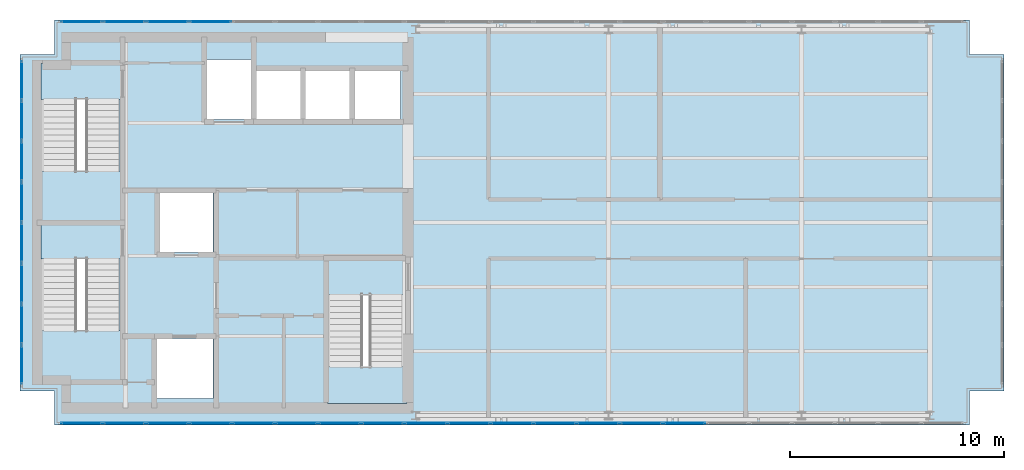
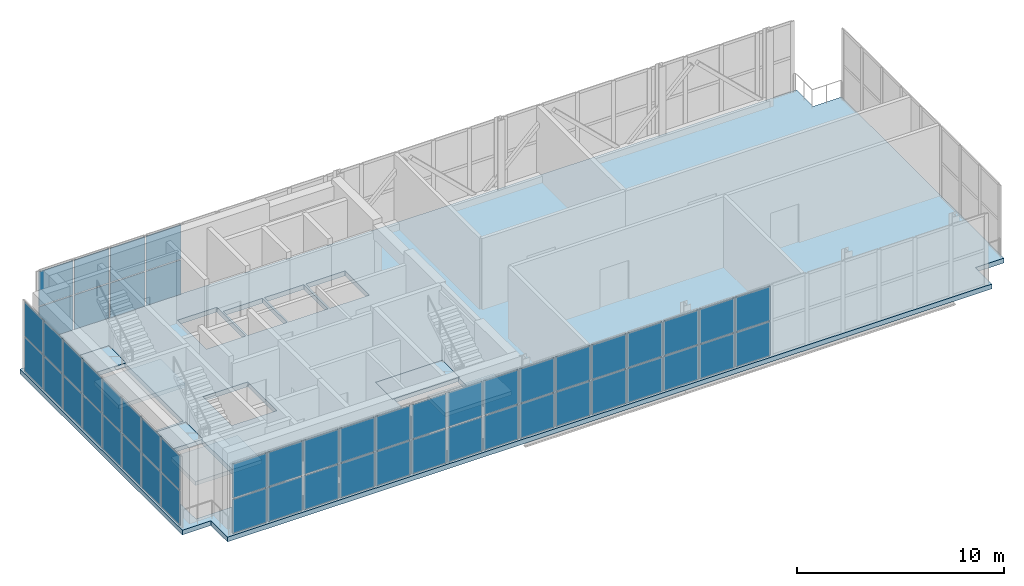
# One storey, part 16 of 21: 54 plates, 7 slabs, 6 elements without a shape of their own.
"""IFC4 building model written with IfcOpenShell, lengths in metres."""

from ifc_helpers import new_model, si_unit, direction, frame, origin, origin_2d, place, context, subcontext, project, spatial, polyline, rectangle, outline, extrude, material, layer, layer_set, type_object, element, aggregate, save


model = new_model("IFC4")

# Units and contexts
model_context = context("Model", 3, precision=1e-05, world=origin(), true_north=direction((0.0, 1.0)))
body_context = subcontext(model_context, "Body", "Model", "MODEL_VIEW")
ifc_project = project(units=[si_unit("LENGTHUNIT", "METRE"), si_unit("AREAUNIT", "SQUARE_METRE"), si_unit("VOLUMEUNIT", "CUBIC_METRE"), si_unit("PLANEANGLEUNIT", "RADIAN"), si_unit("MASSUNIT", "GRAM", prefix="KILO")], contexts=[model_context])

# Site, building, storey
site_placement = place(None, origin())
site = spatial("IfcSite", under=ifc_project, at=site_placement, CompositionType="ELEMENT")
building_placement = place(site_placement, origin())
building = spatial("IfcBuilding", under=site, at=building_placement, Name="Mawjdan Bourse Tower", CompositionType="ELEMENT")
storey_placement = place(building_placement, frame((0.0, 0.0, 313.199951171875)))
storey = spatial("IfcBuildingStorey", under=building, at=storey_placement, Name="L77", CompositionType="ELEMENT", Elevation=313.199951171875)

# Curtain wall, plates
ifc_material_1 = material(Name="Thermally Broken Aluminium and Solar Glass", Category="aluminium")
ifc_layer_1 = layer(ifc_material_1, 0.219970703125)
ifc_layer_set_1 = layer_set([ifc_layer_1], Name="Thermally Broken Aluminium and Solar Glass")
curtain_wall_type = type_object("IfcCurtainWallType", Name="CW-CRN", PredefinedType="USERDEFINED", material=ifc_layer_set_1)
curtain_wall_1_placement = place(storey_placement, origin())
curtain_wall_1 = element("IfcCurtainWall", 1, at=curtain_wall_1_placement, inside=storey, type_object=curtain_wall_type, Name="L77 Lantern Crown South Curtain Wall", ObjectType="LANTERN GLAZED CROWN", PredefinedType="USERDEFINED")
ifc_material_2 = material(Name="Night-Lit Fritted Lantern Glass", Category="glass")
ifc_layer_2 = layer(ifc_material_2, 0.0439453125)
ifc_layer_set_2 = layer_set([ifc_layer_2], Name="Night-Lit Fritted Lantern Glass")
plate_type = type_object("IfcPlateType", Name="PNL-CW-CRN", PredefinedType="CURTAIN_PANEL", material=ifc_layer_set_2)
plate_1_placement = place(storey_placement, frame((8.423583984375, 2.6298828125, 0.06005859375), z_axis=(0.0, 0.0, 1.0), x_axis=(1.0, 0.0, 0.0)))
plate_1 = element("IfcPlate", 2, at=plate_1_placement, type_object=plate_type, Name="CW-CRN-L77-CRN-S panel 1.1", PredefinedType="CURTAIN_PANEL", context=body_context, shape_type="SweptSolid", body=[
    extrude(rectangle(XDim=1.89697265625, YDim=0.0439453125, at=origin_2d()), origin(), (0.0, 0.0, 1.0), 2.02001953125),
])
plate_2_placement = place(storey_placement, frame((8.423583984375, 2.6298828125, 2.14013671875), z_axis=(0.0, 0.0, 1.0), x_axis=(1.0, 0.0, 0.0)))
plate_2 = element("IfcPlate", 3, at=plate_2_placement, type_object=plate_type, Name="CW-CRN-L77-CRN-S panel 1.2", PredefinedType="CURTAIN_PANEL", context=body_context, shape_type="SweptSolid", body=[
    extrude(rectangle(XDim=1.89697265625, YDim=0.0439453125, at=origin_2d()), origin(), (0.0, 0.0, 1.0), 2.02001953125),
])
plate_3_placement = place(storey_placement, frame((10.414306640625, 2.6298828125, 0.06005859375), z_axis=(0.0, 0.0, 1.0), x_axis=(1.0, 0.0, 0.0)))
plate_3 = element("IfcPlate", 4, at=plate_3_placement, type_object=plate_type, Name="CW-CRN-L77-CRN-S panel 2.1", PredefinedType="CURTAIN_PANEL", context=body_context, shape_type="SweptSolid", body=[
    extrude(rectangle(XDim=1.9345703125, YDim=0.0439453125, at=origin_2d()), origin(), (0.0, 0.0, 1.0), 2.02001953125),
])
plate_4_placement = place(storey_placement, frame((10.414306640625, 2.6298828125, 2.14013671875), z_axis=(0.0, 0.0, 1.0), x_axis=(1.0, 0.0, 0.0)))
plate_4 = element("IfcPlate", 5, at=plate_4_placement, type_object=plate_type, Name="CW-CRN-L77-CRN-S panel 2.2", PredefinedType="CURTAIN_PANEL", context=body_context, shape_type="SweptSolid", body=[
    extrude(rectangle(XDim=1.9345703125, YDim=0.0439453125, at=origin_2d()), origin(), (0.0, 0.0, 1.0), 2.02001953125),
])
plate_5_placement = place(storey_placement, frame((12.423828125, 2.6298828125, 0.06005859375), z_axis=(0.0, 0.0, 1.0), x_axis=(1.0, 0.0, 0.0)))
plate_5 = element("IfcPlate", 6, at=plate_5_placement, type_object=plate_type, Name="CW-CRN-L77-CRN-S panel 3.1", PredefinedType="CURTAIN_PANEL", context=body_context, shape_type="SweptSolid", body=[
    extrude(rectangle(XDim=1.9345703125, YDim=0.0439453125, at=origin_2d()), origin(), (0.0, 0.0, 1.0), 2.02001953125),
])
plate_6_placement = place(storey_placement, frame((12.423828125, 2.6298828125, 2.14013671875), z_axis=(0.0, 0.0, 1.0), x_axis=(1.0, 0.0, 0.0)))
plate_6 = element("IfcPlate", 7, at=plate_6_placement, type_object=plate_type, Name="CW-CRN-L77-CRN-S panel 3.2", PredefinedType="CURTAIN_PANEL", context=body_context, shape_type="SweptSolid", body=[
    extrude(rectangle(XDim=1.9345703125, YDim=0.0439453125, at=origin_2d()), origin(), (0.0, 0.0, 1.0), 2.02001953125),
])
plate_7_placement = place(storey_placement, frame((14.433349609375, 2.6298828125, 0.06005859375), z_axis=(0.0, 0.0, 1.0), x_axis=(1.0, 0.0, 0.0)))
plate_7 = element("IfcPlate", 8, at=plate_7_placement, type_object=plate_type, Name="CW-CRN-L77-CRN-S panel 4.1", PredefinedType="CURTAIN_PANEL", context=body_context, shape_type="SweptSolid", body=[
    extrude(rectangle(XDim=1.9345703125, YDim=0.0439453125, at=origin_2d()), origin(), (0.0, 0.0, 1.0), 2.02001953125),
])
plate_8_placement = place(storey_placement, frame((14.433349609375, 2.6298828125, 2.14013671875), z_axis=(0.0, 0.0, 1.0), x_axis=(1.0, 0.0, 0.0)))
plate_8 = element("IfcPlate", 9, at=plate_8_placement, type_object=plate_type, Name="CW-CRN-L77-CRN-S panel 4.2", PredefinedType="CURTAIN_PANEL", context=body_context, shape_type="SweptSolid", body=[
    extrude(rectangle(XDim=1.9345703125, YDim=0.0439453125, at=origin_2d()), origin(), (0.0, 0.0, 1.0), 2.02001953125),
])
plate_9_placement = place(storey_placement, frame((16.44287109375, 2.6298828125, 0.06005859375), z_axis=(0.0, 0.0, 1.0), x_axis=(1.0, 0.0, 0.0)))
plate_9 = element("IfcPlate", 10, at=plate_9_placement, type_object=plate_type, Name="CW-CRN-L77-CRN-S panel 5.1", PredefinedType="CURTAIN_PANEL", context=body_context, shape_type="SweptSolid", body=[
    extrude(rectangle(XDim=1.9345703125, YDim=0.0439453125, at=origin_2d()), origin(), (0.0, 0.0, 1.0), 2.02001953125),
])
plate_10_placement = place(storey_placement, frame((16.44287109375, 2.6298828125, 2.14013671875), z_axis=(0.0, 0.0, 1.0), x_axis=(1.0, 0.0, 0.0)))
plate_10 = element("IfcPlate", 11, at=plate_10_placement, type_object=plate_type, Name="CW-CRN-L77-CRN-S panel 5.2", PredefinedType="CURTAIN_PANEL", context=body_context, shape_type="SweptSolid", body=[
    extrude(rectangle(XDim=1.9345703125, YDim=0.0439453125, at=origin_2d()), origin(), (0.0, 0.0, 1.0), 2.02001953125),
])
plate_11_placement = place(storey_placement, frame((18.452392578125, 2.6298828125, 0.06005859375), z_axis=(0.0, 0.0, 1.0), x_axis=(1.0, 0.0, 0.0)))
plate_11 = element("IfcPlate", 12, at=plate_11_placement, type_object=plate_type, Name="CW-CRN-L77-CRN-S panel 6.1", PredefinedType="CURTAIN_PANEL", context=body_context, shape_type="SweptSolid", body=[
    extrude(rectangle(XDim=1.9345703125, YDim=0.0439453125, at=origin_2d()), origin(), (0.0, 0.0, 1.0), 2.02001953125),
])
plate_12_placement = place(storey_placement, frame((18.452392578125, 2.6298828125, 2.14013671875), z_axis=(0.0, 0.0, 1.0), x_axis=(1.0, 0.0, 0.0)))
plate_12 = element("IfcPlate", 13, at=plate_12_placement, type_object=plate_type, Name="CW-CRN-L77-CRN-S panel 6.2", PredefinedType="CURTAIN_PANEL", context=body_context, shape_type="SweptSolid", body=[
    extrude(rectangle(XDim=1.9345703125, YDim=0.0439453125, at=origin_2d()), origin(), (0.0, 0.0, 1.0), 2.02001953125),
])
plate_13_placement = place(storey_placement, frame((20.4619140625, 2.6298828125, 0.06005859375), z_axis=(0.0, 0.0, 1.0), x_axis=(1.0, 0.0, 0.0)))
plate_13 = element("IfcPlate", 14, at=plate_13_placement, type_object=plate_type, Name="CW-CRN-L77-CRN-S panel 7.1", PredefinedType="CURTAIN_PANEL", context=body_context, shape_type="SweptSolid", body=[
    extrude(rectangle(XDim=1.9345703125, YDim=0.0439453125, at=origin_2d()), origin(), (0.0, 0.0, 1.0), 2.02001953125),
])
plate_14_placement = place(storey_placement, frame((20.4619140625, 2.6298828125, 2.14013671875), z_axis=(0.0, 0.0, 1.0), x_axis=(1.0, 0.0, 0.0)))
plate_14 = element("IfcPlate", 15, at=plate_14_placement, type_object=plate_type, Name="CW-CRN-L77-CRN-S panel 7.2", PredefinedType="CURTAIN_PANEL", context=body_context, shape_type="SweptSolid", body=[
    extrude(rectangle(XDim=1.9345703125, YDim=0.0439453125, at=origin_2d()), origin(), (0.0, 0.0, 1.0), 2.02001953125),
])
plate_15_placement = place(storey_placement, frame((22.471435546875, 2.6298828125, 0.06005859375), z_axis=(0.0, 0.0, 1.0), x_axis=(1.0, 0.0, 0.0)))
plate_15 = element("IfcPlate", 16, at=plate_15_placement, type_object=plate_type, Name="CW-CRN-L77-CRN-S panel 8.1", PredefinedType="CURTAIN_PANEL", context=body_context, shape_type="SweptSolid", body=[
    extrude(rectangle(XDim=1.9345703125, YDim=0.0439453125, at=origin_2d()), origin(), (0.0, 0.0, 1.0), 2.02001953125),
])
plate_16_placement = place(storey_placement, frame((22.471435546875, 2.6298828125, 2.14013671875), z_axis=(0.0, 0.0, 1.0), x_axis=(1.0, 0.0, 0.0)))
plate_16 = element("IfcPlate", 17, at=plate_16_placement, type_object=plate_type, Name="CW-CRN-L77-CRN-S panel 8.2", PredefinedType="CURTAIN_PANEL", context=body_context, shape_type="SweptSolid", body=[
    extrude(rectangle(XDim=1.9345703125, YDim=0.0439453125, at=origin_2d()), origin(), (0.0, 0.0, 1.0), 2.02001953125),
])
plate_17_placement = place(storey_placement, frame((24.48095703125, 2.6298828125, 0.06005859375), z_axis=(0.0, 0.0, 1.0), x_axis=(1.0, 0.0, 0.0)))
plate_17 = element("IfcPlate", 18, at=plate_17_placement, type_object=plate_type, Name="CW-CRN-L77-CRN-S panel 9.1", PredefinedType="CURTAIN_PANEL", context=body_context, shape_type="SweptSolid", body=[
    extrude(rectangle(XDim=1.9345703125, YDim=0.0439453125, at=origin_2d()), origin(), (0.0, 0.0, 1.0), 2.02001953125),
])
plate_18_placement = place(storey_placement, frame((24.48095703125, 2.6298828125, 2.14013671875), z_axis=(0.0, 0.0, 1.0), x_axis=(1.0, 0.0, 0.0)))
plate_18 = element("IfcPlate", 19, at=plate_18_placement, type_object=plate_type, Name="CW-CRN-L77-CRN-S panel 9.2", PredefinedType="CURTAIN_PANEL", context=body_context, shape_type="SweptSolid", body=[
    extrude(rectangle(XDim=1.9345703125, YDim=0.0439453125, at=origin_2d()), origin(), (0.0, 0.0, 1.0), 2.02001953125),
])
plate_19_placement = place(storey_placement, frame((26.490478515625, 2.6298828125, 0.06005859375), z_axis=(0.0, 0.0, 1.0), x_axis=(1.0, 0.0, 0.0)))
plate_19 = element("IfcPlate", 20, at=plate_19_placement, type_object=plate_type, Name="CW-CRN-L77-CRN-S panel 10.1", PredefinedType="CURTAIN_PANEL", context=body_context, shape_type="SweptSolid", body=[
    extrude(rectangle(XDim=1.9345703125, YDim=0.0439453125, at=origin_2d()), origin(), (0.0, 0.0, 1.0), 2.02001953125),
])
plate_20_placement = place(storey_placement, frame((26.490478515625, 2.6298828125, 2.14013671875), z_axis=(0.0, 0.0, 1.0), x_axis=(1.0, 0.0, 0.0)))
plate_20 = element("IfcPlate", 21, at=plate_20_placement, type_object=plate_type, Name="CW-CRN-L77-CRN-S panel 10.2", PredefinedType="CURTAIN_PANEL", context=body_context, shape_type="SweptSolid", body=[
    extrude(rectangle(XDim=1.9345703125, YDim=0.0439453125, at=origin_2d()), origin(), (0.0, 0.0, 1.0), 2.02001953125),
])
plate_21_placement = place(storey_placement, frame((28.5, 2.6298828125, 0.06005859375), z_axis=(0.0, 0.0, 1.0), x_axis=(1.0, 0.0, 0.0)))
plate_21 = element("IfcPlate", 22, at=plate_21_placement, type_object=plate_type, Name="CW-CRN-L77-CRN-S panel 11.1", PredefinedType="CURTAIN_PANEL", context=body_context, shape_type="SweptSolid", body=[
    extrude(rectangle(XDim=1.9345703125, YDim=0.0439453125, at=origin_2d()), origin(), (0.0, 0.0, 1.0), 2.02001953125),
])
plate_22_placement = place(storey_placement, frame((28.5, 2.6298828125, 2.14013671875), z_axis=(0.0, 0.0, 1.0), x_axis=(1.0, 0.0, 0.0)))
plate_22 = element("IfcPlate", 23, at=plate_22_placement, type_object=plate_type, Name="CW-CRN-L77-CRN-S panel 11.2", PredefinedType="CURTAIN_PANEL", context=body_context, shape_type="SweptSolid", body=[
    extrude(rectangle(XDim=1.9345703125, YDim=0.0439453125, at=origin_2d()), origin(), (0.0, 0.0, 1.0), 2.02001953125),
])
plate_23_placement = place(storey_placement, frame((30.509521484375, 2.6298828125, 0.06005859375), z_axis=(0.0, 0.0, 1.0), x_axis=(1.0, 0.0, 0.0)))
plate_23 = element("IfcPlate", 24, at=plate_23_placement, type_object=plate_type, Name="CW-CRN-L77-CRN-S panel 12.1", PredefinedType="CURTAIN_PANEL", context=body_context, shape_type="SweptSolid", body=[
    extrude(rectangle(XDim=1.9345703125, YDim=0.0439453125, at=origin_2d()), origin(), (0.0, 0.0, 1.0), 2.02001953125),
])
plate_24_placement = place(storey_placement, frame((30.509521484375, 2.6298828125, 2.14013671875), z_axis=(0.0, 0.0, 1.0), x_axis=(1.0, 0.0, 0.0)))
plate_24 = element("IfcPlate", 25, at=plate_24_placement, type_object=plate_type, Name="CW-CRN-L77-CRN-S panel 12.2", PredefinedType="CURTAIN_PANEL", context=body_context, shape_type="SweptSolid", body=[
    extrude(rectangle(XDim=1.9345703125, YDim=0.0439453125, at=origin_2d()), origin(), (0.0, 0.0, 1.0), 2.02001953125),
])
plate_25_placement = place(storey_placement, frame((32.51904296875, 2.6298828125, 0.06005859375), z_axis=(0.0, 0.0, 1.0), x_axis=(1.0, 0.0, 0.0)))
plate_25 = element("IfcPlate", 26, at=plate_25_placement, type_object=plate_type, Name="CW-CRN-L77-CRN-S panel 13.1", PredefinedType="CURTAIN_PANEL", context=body_context, shape_type="SweptSolid", body=[
    extrude(rectangle(XDim=1.9345703125, YDim=0.0439453125, at=origin_2d()), origin(), (0.0, 0.0, 1.0), 2.02001953125),
])
plate_26_placement = place(storey_placement, frame((32.51904296875, 2.6298828125, 2.14013671875), z_axis=(0.0, 0.0, 1.0), x_axis=(1.0, 0.0, 0.0)))
plate_26 = element("IfcPlate", 27, at=plate_26_placement, type_object=plate_type, Name="CW-CRN-L77-CRN-S panel 13.2", PredefinedType="CURTAIN_PANEL", context=body_context, shape_type="SweptSolid", body=[
    extrude(rectangle(XDim=1.9345703125, YDim=0.0439453125, at=origin_2d()), origin(), (0.0, 0.0, 1.0), 2.02001953125),
])
plate_27_placement = place(storey_placement, frame((34.528564453125, 2.6298828125, 0.06005859375), z_axis=(0.0, 0.0, 1.0), x_axis=(1.0, 0.0, 0.0)))
plate_27 = element("IfcPlate", 28, at=plate_27_placement, type_object=plate_type, Name="CW-CRN-L77-CRN-S panel 14.1", PredefinedType="CURTAIN_PANEL", context=body_context, shape_type="SweptSolid", body=[
    extrude(rectangle(XDim=1.9345703125, YDim=0.0439453125, at=origin_2d()), origin(), (0.0, 0.0, 1.0), 2.02001953125),
])
plate_28_placement = place(storey_placement, frame((34.528564453125, 2.6298828125, 2.14013671875), z_axis=(0.0, 0.0, 1.0), x_axis=(1.0, 0.0, 0.0)))
plate_28 = element("IfcPlate", 29, at=plate_28_placement, type_object=plate_type, Name="CW-CRN-L77-CRN-S panel 14.2", PredefinedType="CURTAIN_PANEL", context=body_context, shape_type="SweptSolid", body=[
    extrude(rectangle(XDim=1.9345703125, YDim=0.0439453125, at=origin_2d()), origin(), (0.0, 0.0, 1.0), 2.02001953125),
])
plate_29_placement = place(storey_placement, frame((36.5380859375, 2.6298828125, 0.06005859375), z_axis=(0.0, 0.0, 1.0), x_axis=(1.0, 0.0, 0.0)))
plate_29 = element("IfcPlate", 30, at=plate_29_placement, type_object=plate_type, Name="CW-CRN-L77-CRN-S panel 15.1", PredefinedType="CURTAIN_PANEL", context=body_context, shape_type="SweptSolid", body=[
    extrude(rectangle(XDim=1.9345703125, YDim=0.0439453125, at=origin_2d()), origin(), (0.0, 0.0, 1.0), 2.02001953125),
])
plate_30_placement = place(storey_placement, frame((36.5380859375, 2.6298828125, 2.14013671875), z_axis=(0.0, 0.0, 1.0), x_axis=(1.0, 0.0, 0.0)))
plate_30 = element("IfcPlate", 31, at=plate_30_placement, type_object=plate_type, Name="CW-CRN-L77-CRN-S panel 15.2", PredefinedType="CURTAIN_PANEL", context=body_context, shape_type="SweptSolid", body=[
    extrude(rectangle(XDim=1.9345703125, YDim=0.0439453125, at=origin_2d()), origin(), (0.0, 0.0, 1.0), 2.02001953125),
])
aggregate(curtain_wall_1, [plate_1, plate_2, plate_3, plate_4, plate_5, plate_6, plate_7, plate_8, plate_9, plate_10, plate_11, plate_12, plate_13, plate_14, plate_15, plate_16, plate_17, plate_18, plate_19, plate_20, plate_21, plate_22, plate_23, plate_24, plate_25, plate_26, plate_27, plate_28, plate_29, plate_30])

curtain_wall_2_placement = place(storey_placement, origin())
curtain_wall_2 = element("IfcCurtainWall", 32, at=curtain_wall_2_placement, inside=storey, type_object=curtain_wall_type, Name="L77 Lantern Crown North Curtain Wall", ObjectType="LANTERN GLAZED CROWN", PredefinedType="USERDEFINED")
plate_31_placement = place(storey_placement, frame((14.433349609375, 21.3701171875, 0.06005859375), z_axis=(0.0, 0.0, 1.0), x_axis=(-1.0, 0.0, 0.0)))
plate_31 = element("IfcPlate", 33, at=plate_31_placement, type_object=plate_type, Name="CW-CRN-L77-CRN-N panel 18.1", PredefinedType="CURTAIN_PANEL", context=body_context, shape_type="SweptSolid", body=[
    extrude(rectangle(XDim=1.9345703125, YDim=0.0439453125, at=origin_2d()), origin(), (0.0, 0.0, 1.0), 2.02001953125),
])
plate_32_placement = place(storey_placement, frame((14.433349609375, 21.3701171875, 2.14013671875), z_axis=(0.0, 0.0, 1.0), x_axis=(-1.0, 0.0, 0.0)))
plate_32 = element("IfcPlate", 34, at=plate_32_placement, type_object=plate_type, Name="CW-CRN-L77-CRN-N panel 18.2", PredefinedType="CURTAIN_PANEL", context=body_context, shape_type="SweptSolid", body=[
    extrude(rectangle(XDim=1.9345703125, YDim=0.0439453125, at=origin_2d()), origin(), (0.0, 0.0, 1.0), 2.02001953125),
])
plate_33_placement = place(storey_placement, frame((12.423828125, 21.3701171875, 0.06005859375), z_axis=(0.0, 0.0, 1.0), x_axis=(-1.0, 0.0, 0.0)))
plate_33 = element("IfcPlate", 35, at=plate_33_placement, type_object=plate_type, Name="CW-CRN-L77-CRN-N panel 19.1", PredefinedType="CURTAIN_PANEL", context=body_context, shape_type="SweptSolid", body=[
    extrude(rectangle(XDim=1.9345703125, YDim=0.0439453125, at=origin_2d()), origin(), (0.0, 0.0, 1.0), 2.02001953125),
])
plate_34_placement = place(storey_placement, frame((12.423828125, 21.3701171875, 2.14013671875), z_axis=(0.0, 0.0, 1.0), x_axis=(-1.0, 0.0, 0.0)))
plate_34 = element("IfcPlate", 36, at=plate_34_placement, type_object=plate_type, Name="CW-CRN-L77-CRN-N panel 19.2", PredefinedType="CURTAIN_PANEL", context=body_context, shape_type="SweptSolid", body=[
    extrude(rectangle(XDim=1.9345703125, YDim=0.0439453125, at=origin_2d()), origin(), (0.0, 0.0, 1.0), 2.02001953125),
])
plate_35_placement = place(storey_placement, frame((10.414306640625, 21.3701171875, 0.06005859375), z_axis=(0.0, 0.0, 1.0), x_axis=(-1.0, 0.0, 0.0)))
plate_35 = element("IfcPlate", 37, at=plate_35_placement, type_object=plate_type, Name="CW-CRN-L77-CRN-N panel 20.1", PredefinedType="CURTAIN_PANEL", context=body_context, shape_type="SweptSolid", body=[
    extrude(rectangle(XDim=1.9345703125, YDim=0.0439453125, at=origin_2d()), origin(), (0.0, 0.0, 1.0), 2.02001953125),
])
plate_36_placement = place(storey_placement, frame((10.414306640625, 21.3701171875, 2.14013671875), z_axis=(0.0, 0.0, 1.0), x_axis=(-1.0, 0.0, 0.0)))
plate_36 = element("IfcPlate", 38, at=plate_36_placement, type_object=plate_type, Name="CW-CRN-L77-CRN-N panel 20.2", PredefinedType="CURTAIN_PANEL", context=body_context, shape_type="SweptSolid", body=[
    extrude(rectangle(XDim=1.9345703125, YDim=0.0439453125, at=origin_2d()), origin(), (0.0, 0.0, 1.0), 2.02001953125),
])
plate_37_placement = place(storey_placement, frame((8.423583984375, 21.3701171875, 0.06005859375), z_axis=(0.0, 0.0, 1.0), x_axis=(-1.0, 0.0, 0.0)))
plate_37 = element("IfcPlate", 39, at=plate_37_placement, type_object=plate_type, Name="CW-CRN-L77-CRN-N panel 21.1", PredefinedType="CURTAIN_PANEL", context=body_context, shape_type="SweptSolid", body=[
    extrude(rectangle(XDim=1.89697265625, YDim=0.0439453125, at=origin_2d()), origin(), (0.0, 0.0, 1.0), 2.02001953125),
])
plate_38_placement = place(storey_placement, frame((8.423583984375, 21.3701171875, 2.14013671875), z_axis=(0.0, 0.0, 1.0), x_axis=(-1.0, 0.0, 0.0)))
plate_38 = element("IfcPlate", 40, at=plate_38_placement, type_object=plate_type, Name="CW-CRN-L77-CRN-N panel 21.2", PredefinedType="CURTAIN_PANEL", context=body_context, shape_type="SweptSolid", body=[
    extrude(rectangle(XDim=1.89697265625, YDim=0.0439453125, at=origin_2d()), origin(), (0.0, 0.0, 1.0), 2.02001953125),
])
aggregate(curtain_wall_2, [plate_31, plate_32, plate_33, plate_34, plate_35, plate_36, plate_37, plate_38])

curtain_wall_3_placement = place(storey_placement, origin())
curtain_wall_3 = element("IfcCurtainWall", 41, at=curtain_wall_3_placement, inside=storey, type_object=curtain_wall_type, Name="L77 Lantern Crown West Curtain Wall", ObjectType="LANTERN GLAZED CROWN", PredefinedType="USERDEFINED")
plate_39_placement = place(storey_placement, frame((5.6298828125, 18.63134765625, 0.06005859375), z_axis=(0.0, 0.0, 1.0), x_axis=(0.0, -1.0, 0.0)))
plate_39 = element("IfcPlate", 42, at=plate_39_placement, type_object=plate_type, Name="CW-CRN-L77-CRN-W panel 1.1", PredefinedType="CURTAIN_PANEL", context=body_context, shape_type="SweptSolid", body=[
    extrude(rectangle(XDim=1.78759765625, YDim=0.0439453125, at=origin_2d()), origin(), (0.0, 0.0, 1.0), 2.02001953125),
])
plate_40_placement = place(storey_placement, frame((5.6298828125, 18.63134765625, 2.14013671875), z_axis=(0.0, 0.0, 1.0), x_axis=(0.0, -1.0, 0.0)))
plate_40 = element("IfcPlate", 43, at=plate_40_placement, type_object=plate_type, Name="CW-CRN-L77-CRN-W panel 1.2", PredefinedType="CURTAIN_PANEL", context=body_context, shape_type="SweptSolid", body=[
    extrude(rectangle(XDim=1.78759765625, YDim=0.0439453125, at=origin_2d()), origin(), (0.0, 0.0, 1.0), 2.02001953125),
])
plate_41_placement = place(storey_placement, frame((5.6298828125, 16.75, 0.06005859375), z_axis=(0.0, 0.0, 1.0), x_axis=(0.0, -1.0, 0.0)))
plate_41 = element("IfcPlate", 44, at=plate_41_placement, type_object=plate_type, Name="CW-CRN-L77-CRN-W panel 2.1", PredefinedType="CURTAIN_PANEL", context=body_context, shape_type="SweptSolid", body=[
    extrude(rectangle(XDim=1.824951171875, YDim=0.0439453125, at=origin_2d()), origin(), (0.0, 0.0, 1.0), 2.02001953125),
])
plate_42_placement = place(storey_placement, frame((5.6298828125, 16.75, 2.14013671875), z_axis=(0.0, 0.0, 1.0), x_axis=(0.0, -1.0, 0.0)))
plate_42 = element("IfcPlate", 45, at=plate_42_placement, type_object=plate_type, Name="CW-CRN-L77-CRN-W panel 2.2", PredefinedType="CURTAIN_PANEL", context=body_context, shape_type="SweptSolid", body=[
    extrude(rectangle(XDim=1.824951171875, YDim=0.0439453125, at=origin_2d()), origin(), (0.0, 0.0, 1.0), 2.02001953125),
])
plate_43_placement = place(storey_placement, frame((5.6298828125, 14.85009765625, 0.06005859375), z_axis=(0.0, 0.0, 1.0), x_axis=(0.0, -1.0, 0.0)))
plate_43 = element("IfcPlate", 46, at=plate_43_placement, type_object=plate_type, Name="CW-CRN-L77-CRN-W panel 3.1", PredefinedType="CURTAIN_PANEL", context=body_context, shape_type="SweptSolid", body=[
    extrude(rectangle(XDim=1.824951171875, YDim=0.0439453125, at=origin_2d()), origin(), (0.0, 0.0, 1.0), 2.02001953125),
])
plate_44_placement = place(storey_placement, frame((5.6298828125, 14.85009765625, 2.14013671875), z_axis=(0.0, 0.0, 1.0), x_axis=(0.0, -1.0, 0.0)))
plate_44 = element("IfcPlate", 47, at=plate_44_placement, type_object=plate_type, Name="CW-CRN-L77-CRN-W panel 3.2", PredefinedType="CURTAIN_PANEL", context=body_context, shape_type="SweptSolid", body=[
    extrude(rectangle(XDim=1.824951171875, YDim=0.0439453125, at=origin_2d()), origin(), (0.0, 0.0, 1.0), 2.02001953125),
])
plate_45_placement = place(storey_placement, frame((5.6298828125, 12.949951171875, 0.06005859375), z_axis=(0.0, 0.0, 1.0), x_axis=(0.0, -1.0, 0.0)))
plate_45 = element("IfcPlate", 48, at=plate_45_placement, type_object=plate_type, Name="CW-CRN-L77-CRN-W panel 4.1", PredefinedType="CURTAIN_PANEL", context=body_context, shape_type="SweptSolid", body=[
    extrude(rectangle(XDim=1.824951171875, YDim=0.0439453125, at=origin_2d()), origin(), (0.0, 0.0, 1.0), 2.02001953125),
])
plate_46_placement = place(storey_placement, frame((5.6298828125, 12.949951171875, 2.14013671875), z_axis=(0.0, 0.0, 1.0), x_axis=(0.0, -1.0, 0.0)))
plate_46 = element("IfcPlate", 49, at=plate_46_placement, type_object=plate_type, Name="CW-CRN-L77-CRN-W panel 4.2", PredefinedType="CURTAIN_PANEL", context=body_context, shape_type="SweptSolid", body=[
    extrude(rectangle(XDim=1.824951171875, YDim=0.0439453125, at=origin_2d()), origin(), (0.0, 0.0, 1.0), 2.02001953125),
])
plate_47_placement = place(storey_placement, frame((5.6298828125, 11.050048828125, 0.06005859375), z_axis=(0.0, 0.0, 1.0), x_axis=(0.0, -1.0, 0.0)))
plate_47 = element("IfcPlate", 50, at=plate_47_placement, type_object=plate_type, Name="CW-CRN-L77-CRN-W panel 5.1", PredefinedType="CURTAIN_PANEL", context=body_context, shape_type="SweptSolid", body=[
    extrude(rectangle(XDim=1.824951171875, YDim=0.0439453125, at=origin_2d()), origin(), (0.0, 0.0, 1.0), 2.02001953125),
])
plate_48_placement = place(storey_placement, frame((5.6298828125, 11.050048828125, 2.14013671875), z_axis=(0.0, 0.0, 1.0), x_axis=(0.0, -1.0, 0.0)))
plate_48 = element("IfcPlate", 51, at=plate_48_placement, type_object=plate_type, Name="CW-CRN-L77-CRN-W panel 5.2", PredefinedType="CURTAIN_PANEL", context=body_context, shape_type="SweptSolid", body=[
    extrude(rectangle(XDim=1.824951171875, YDim=0.0439453125, at=origin_2d()), origin(), (0.0, 0.0, 1.0), 2.02001953125),
])
plate_49_placement = place(storey_placement, frame((5.6298828125, 9.14990234375, 0.06005859375), z_axis=(0.0, 0.0, 1.0), x_axis=(0.0, -1.0, 0.0)))
plate_49 = element("IfcPlate", 52, at=plate_49_placement, type_object=plate_type, Name="CW-CRN-L77-CRN-W panel 6.1", PredefinedType="CURTAIN_PANEL", context=body_context, shape_type="SweptSolid", body=[
    extrude(rectangle(XDim=1.824951171875, YDim=0.0439453125, at=origin_2d()), origin(), (0.0, 0.0, 1.0), 2.02001953125),
])
plate_50_placement = place(storey_placement, frame((5.6298828125, 9.14990234375, 2.14013671875), z_axis=(0.0, 0.0, 1.0), x_axis=(0.0, -1.0, 0.0)))
plate_50 = element("IfcPlate", 53, at=plate_50_placement, type_object=plate_type, Name="CW-CRN-L77-CRN-W panel 6.2", PredefinedType="CURTAIN_PANEL", context=body_context, shape_type="SweptSolid", body=[
    extrude(rectangle(XDim=1.824951171875, YDim=0.0439453125, at=origin_2d()), origin(), (0.0, 0.0, 1.0), 2.02001953125),
])
plate_51_placement = place(storey_placement, frame((5.6298828125, 7.25, 0.06005859375), z_axis=(0.0, 0.0, 1.0), x_axis=(0.0, -1.0, 0.0)))
plate_51 = element("IfcPlate", 54, at=plate_51_placement, type_object=plate_type, Name="CW-CRN-L77-CRN-W panel 7.1", PredefinedType="CURTAIN_PANEL", context=body_context, shape_type="SweptSolid", body=[
    extrude(rectangle(XDim=1.824951171875, YDim=0.0439453125, at=origin_2d()), origin(), (0.0, 0.0, 1.0), 2.02001953125),
])
plate_52_placement = place(storey_placement, frame((5.6298828125, 7.25, 2.14013671875), z_axis=(0.0, 0.0, 1.0), x_axis=(0.0, -1.0, 0.0)))
plate_52 = element("IfcPlate", 55, at=plate_52_placement, type_object=plate_type, Name="CW-CRN-L77-CRN-W panel 7.2", PredefinedType="CURTAIN_PANEL", context=body_context, shape_type="SweptSolid", body=[
    extrude(rectangle(XDim=1.824951171875, YDim=0.0439453125, at=origin_2d()), origin(), (0.0, 0.0, 1.0), 2.02001953125),
])
plate_53_placement = place(storey_placement, frame((5.6298828125, 5.36865234375, 0.06005859375), z_axis=(0.0, 0.0, 1.0), x_axis=(0.0, -1.0, 0.0)))
plate_53 = element("IfcPlate", 56, at=plate_53_placement, type_object=plate_type, Name="CW-CRN-L77-CRN-W panel 8.1", PredefinedType="CURTAIN_PANEL", context=body_context, shape_type="SweptSolid", body=[
    extrude(rectangle(XDim=1.78759765625, YDim=0.0439453125, at=origin_2d()), origin(), (0.0, 0.0, 1.0), 2.02001953125),
])
plate_54_placement = place(storey_placement, frame((5.6298828125, 5.36865234375, 2.14013671875), z_axis=(0.0, 0.0, 1.0), x_axis=(0.0, -1.0, 0.0)))
plate_54 = element("IfcPlate", 57, at=plate_54_placement, type_object=plate_type, Name="CW-CRN-L77-CRN-W panel 8.2", PredefinedType="CURTAIN_PANEL", context=body_context, shape_type="SweptSolid", body=[
    extrude(rectangle(XDim=1.78759765625, YDim=0.0439453125, at=origin_2d()), origin(), (0.0, 0.0, 1.0), 2.02001953125),
])
aggregate(curtain_wall_3, [plate_39, plate_40, plate_41, plate_42, plate_43, plate_44, plate_45, plate_46, plate_47, plate_48, plate_49, plate_50, plate_51, plate_52, plate_53, plate_54])

# Stair, slabs
ifc_material_3 = material(Name="Concrete C50/60", Category="concrete")
stair_type = type_object("IfcStairType", Name="STR-CORE-1500", PredefinedType="HALF_TURN_STAIR", material=ifc_material_3)
stair_1_placement = place(storey_placement, origin())
stair_1 = element("IfcStair", 58, at=stair_1_placement, inside=storey, type_object=stair_type, Name="L77 Exit Stair 1 (Core South-West)", PredefinedType="HALF_TURN_STAIR")
ifc_layer_3 = layer(ifc_material_3, 0.22998046875)
ifc_layer_set_3 = layer_set([ifc_layer_3], Name="Concrete C50/60")
slab_type_1 = type_object("IfcSlabType", Name="SL-LND-230", PredefinedType="LANDING", material=ifc_layer_set_3)
slab_1_placement = place(storey_placement, frame((0.0, 0.0, -0.22998046875)))
slab_1 = element("IfcSlab", 59, at=slab_1_placement, type_object=slab_type_1, Name="ST1-L77 landing 1", PredefinedType="LANDING", context=body_context, shape_type="SweptSolid", body=[
    extrude(outline(polyline([(6.5400390625, 10.31005859375), (10.260009765625, 10.31005859375), (10.260009765625, 11.969970703125), (6.5400390625, 11.969970703125), (6.5400390625, 10.31005859375)])), origin(), (0.0, 0.0, 1.0), 0.22998046875),
])
slab_2_placement = place(storey_placement, frame((0.0, 0.0, 2.02001953125)))
slab_2 = element("IfcSlab", 60, at=slab_2_placement, type_object=slab_type_1, Name="ST1-L77 landing 2", PredefinedType="LANDING", context=body_context, shape_type="SweptSolid", body=[
    extrude(outline(polyline([(6.5400390625, 4.590087890625), (10.260009765625, 4.590087890625), (10.260009765625, 6.969970703125), (6.5400390625, 6.969970703125), (6.5400390625, 4.590087890625)])), origin(), (0.0, 0.0, 1.0), 0.22998046875),
])
aggregate(stair_1, [slab_1, slab_2])

stair_2_placement = place(storey_placement, origin())
stair_2 = element("IfcStair", 61, at=stair_2_placement, inside=storey, type_object=stair_type, Name="L77 Exit Stair 2 (Core North-West)", PredefinedType="HALF_TURN_STAIR")
slab_3_placement = place(storey_placement, frame((0.0, 0.0, -0.22998046875)))
slab_3 = element("IfcSlab", 62, at=slab_3_placement, type_object=slab_type_1, Name="ST2-L77 landing 1", PredefinedType="LANDING", context=body_context, shape_type="SweptSolid", body=[
    extrude(outline(polyline([(6.5400390625, 17.75), (10.260009765625, 17.75), (10.260009765625, 19.409912109375), (6.5400390625, 19.409912109375), (6.5400390625, 17.75)])), origin(), (0.0, 0.0, 1.0), 0.22998046875),
])
slab_4_placement = place(storey_placement, frame((0.0, 0.0, 2.02001953125)))
slab_4 = element("IfcSlab", 63, at=slab_4_placement, type_object=slab_type_1, Name="ST2-L77 landing 2", PredefinedType="LANDING", context=body_context, shape_type="SweptSolid", body=[
    extrude(outline(polyline([(6.5400390625, 12.030029296875), (10.260009765625, 12.030029296875), (10.260009765625, 14.409912109375), (6.5400390625, 14.409912109375), (6.5400390625, 12.030029296875)])), origin(), (0.0, 0.0, 1.0), 0.22998046875),
])
aggregate(stair_2, [slab_3, slab_4])

stair_3_placement = place(storey_placement, origin())
stair_3 = element("IfcStair", 64, at=stair_3_placement, inside=storey, type_object=stair_type, Name="L77 Exit Stair 7 (Core South-East)", PredefinedType="HALF_TURN_STAIR")
slab_5_placement = place(storey_placement, frame((0.0, 0.0, -0.22998046875)))
slab_5 = element("IfcSlab", 65, at=slab_5_placement, type_object=slab_type_1, Name="ST7-L77 landing 1", PredefinedType="LANDING", context=body_context, shape_type="SweptSolid", body=[
    extrude(outline(polyline([(19.889892578125, 8.6201171875), (23.610107421875, 8.6201171875), (23.610107421875, 10.280029296875), (19.889892578125, 10.280029296875), (19.889892578125, 8.6201171875)])), origin(), (0.0, 0.0, 1.0), 0.22998046875),
])
slab_6_placement = place(storey_placement, frame((0.0, 0.0, 2.02001953125)))
slab_6 = element("IfcSlab", 66, at=slab_6_placement, type_object=slab_type_1, Name="ST7-L77 landing 2", PredefinedType="LANDING", context=body_context, shape_type="SweptSolid", body=[
    extrude(outline(polyline([(19.889892578125, 3.56005859375), (23.610107421875, 3.56005859375), (23.610107421875, 5.280029296875), (19.889892578125, 5.280029296875), (19.889892578125, 3.56005859375)])), origin(), (0.0, 0.0, 1.0), 0.22998046875),
])
aggregate(stair_3, [slab_5, slab_6])

# Slab
ifc_layer_4 = layer(ifc_material_3, 0.280029296875)
ifc_layer_set_4 = layer_set([ifc_layer_4], Name="Concrete C50/60")
slab_type_2 = type_object("IfcSlabType", Name="SL-PLT-280", PredefinedType="FLOOR", material=ifc_layer_set_4)
slab_7_placement = place(storey_placement, frame((0.0, 0.0, -0.280029296875)))
element("IfcSlab", 67, at=slab_7_placement, inside=storey, type_object=slab_type_2, Name="L77 Structural Floor Slab 1", PredefinedType="FLOOR", context=body_context, shape_type="SweptSolid", body=[
    extrude(outline(polyline([(7.14990234375, 2.550048828125), (49.85009765625, 2.550048828125), (49.85009765625, 4.14990234375), (51.449951171875, 4.14990234375), (51.449951171875, 19.85009765625), (49.85009765625, 19.85009765625), (49.85009765625, 21.449951171875), (7.14990234375, 21.449951171875), (7.14990234375, 19.85009765625), (5.550048828125, 19.85009765625), (5.550048828125, 4.14990234375), (7.14990234375, 4.14990234375), (7.14990234375, 2.550048828125)]), holes=[polyline([(14.550048828125, 3.800048828125), (11.949951171875, 3.800048828125), (11.949951171875, 6.60009765625), (14.550048828125, 6.60009765625), (14.550048828125, 3.800048828125)]), polyline([(10.260009765625, 11.969970703125), (10.260009765625, 10.31005859375), (10.199951171875, 10.31005859375), (10.199951171875, 4.64990234375), (6.60009765625, 4.64990234375), (6.60009765625, 10.31005859375), (6.5400390625, 10.31005859375), (6.5400390625, 11.969970703125), (10.260009765625, 11.969970703125)]), polyline([(14.550048828125, 10.60009765625), (12.050048828125, 10.60009765625), (12.050048828125, 13.39990234375), (14.550048828125, 13.39990234375), (14.550048828125, 10.60009765625)]), polyline([(10.260009765625, 19.409912109375), (10.260009765625, 17.75), (10.199951171875, 17.75), (10.199951171875, 12.090087890625), (6.60009765625, 12.090087890625), (6.60009765625, 17.75), (6.5400390625, 17.75), (6.5400390625, 19.409912109375), (10.260009765625, 19.409912109375)]), polyline([(19.889892578125, 10.280029296875), (23.610107421875, 10.280029296875), (23.610107421875, 8.6201171875), (23.550048828125, 8.6201171875), (23.550048828125, 3.6201171875), (19.949951171875, 3.6201171875), (19.949951171875, 8.6201171875), (19.889892578125, 8.6201171875), (19.889892578125, 10.280029296875)]), polyline([(16.5, 16.800048828125), (16.5, 19.14990234375), (18.699951171875, 19.14990234375), (18.699951171875, 16.800048828125), (16.5, 16.800048828125)]), polyline([(21.0, 16.800048828125), (18.800048828125, 16.800048828125), (18.800048828125, 19.14990234375), (21.0, 19.14990234375), (21.0, 16.800048828125)]), polyline([(21.10009765625, 16.800048828125), (21.10009765625, 19.14990234375), (23.300048828125, 19.14990234375), (23.300048828125, 16.800048828125), (21.10009765625, 16.800048828125)]), polyline([(14.199951171875, 16.800048828125), (14.199951171875, 19.60009765625), (16.39990234375, 19.60009765625), (16.39990234375, 16.800048828125), (14.199951171875, 16.800048828125)])]), origin(), (0.0, 0.0, 1.0), 0.280029296875),
])

save(model, "model.ifc")
